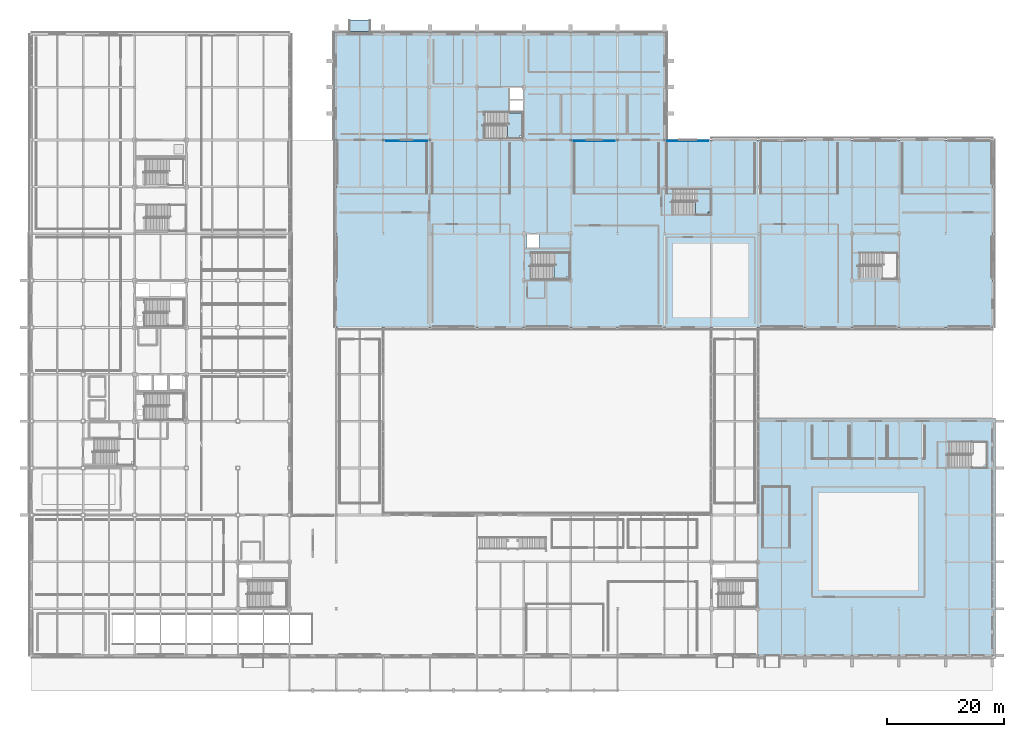
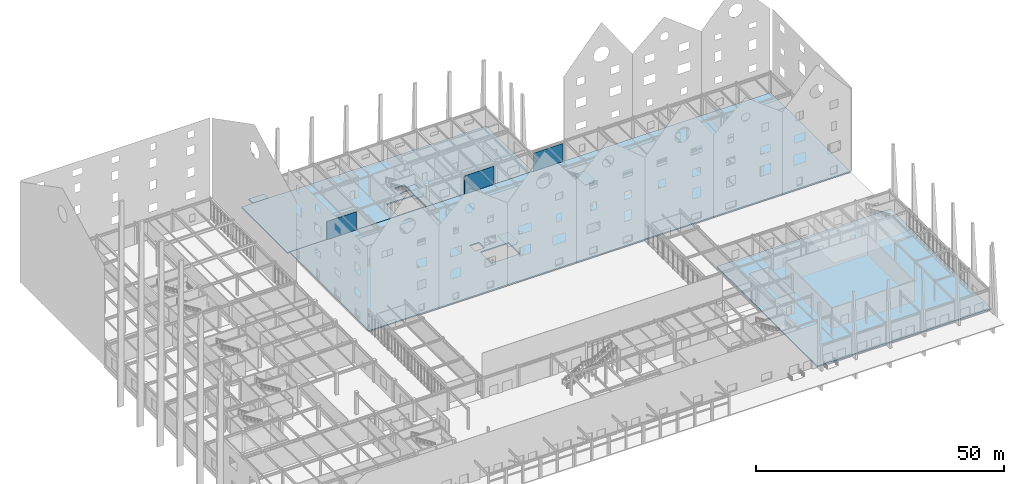
# One storey, part 65 of 119: 7 slabs, 3 plates, 3 elements without a shape of their own.
"""IFC4 building model written with IfcOpenShell, lengths in metres."""

from ifc_helpers import new_model, si_unit, direction, frame, origin, origin_2d, place, context, subcontext, project, spatial, polyline, rectangle, outline, extrude, material, layer, layer_set, type_object, element, aggregate, save


model = new_model("IFC4")

# Units and contexts
model_context = context("Model", 3, precision=1e-05, world=origin(), true_north=direction((0.0, 1.0)))
body_context = subcontext(model_context, "Body", "Model", "MODEL_VIEW")
ifc_project = project(units=[si_unit("LENGTHUNIT", "METRE"), si_unit("AREAUNIT", "SQUARE_METRE"), si_unit("VOLUMEUNIT", "CUBIC_METRE"), si_unit("PLANEANGLEUNIT", "RADIAN"), si_unit("MASSUNIT", "GRAM", prefix="KILO")], contexts=[model_context])

# Site, building, storey
site_placement = place(None, origin())
site = spatial("IfcSite", under=ifc_project, at=site_placement, CompositionType="ELEMENT")
building_placement = place(site_placement, origin())
building = spatial("IfcBuilding", under=site, at=building_placement, Name="Zhaolan Boulevard Law Courts", CompositionType="ELEMENT")
storey_placement = place(building_placement, origin())
storey = spatial("IfcBuildingStorey", under=building, at=storey_placement, Name="L00", CompositionType="ELEMENT", Elevation=0.0)

# Slabs
ifc_material_1 = material(Name="Concrete C40", Category="concrete")
ifc_layer_1 = layer(ifc_material_1, 0.300048828125)
ifc_layer_set_1 = layer_set([ifc_layer_1])
slab_type_1 = type_object("IfcSlabType", Name="FLOOR SLAB 300", PredefinedType="FLOOR", material=ifc_layer_set_1)
slab_1_placement = place(storey_placement, frame((0.0, 0.0, -0.300048828125)))
element("IfcSlab", 1, at=slab_1_placement, inside=storey, type_object=slab_type_1, Name="Slab SLB-L00-V1", PredefinedType="FLOOR", context=body_context, shape_type="SweptSolid", body=[
    extrude(outline(polyline([(124.0, 6.0), (164.52001953125, 6.0), (164.52001953125, 46.52001953125), (124.0, 46.52001953125), (124.0, 6.0)])), origin(), (0.0, 0.0, 1.0), 0.300048828125),
])
slab_2_placement = place(storey_placement, frame((0.0, 0.0, -0.300048828125)))
element("IfcSlab", 2, at=slab_2_placement, inside=storey, type_object=slab_type_1, Name="Slab SLB-L00-V2", PredefinedType="FLOOR", context=body_context, shape_type="SweptSolid", body=[
    extrude(outline(polyline([(52.0, 62.0), (164.0, 62.0), (164.0, 94.0), (52.0, 94.0), (52.0, 62.0)]), holes=[polyline([(84.5, 75.574951171875), (86.699951171875, 75.574951171875), (86.699951171875, 77.824951171875), (84.5, 77.824951171875), (84.5, 75.574951171875)]), polyline([(85.25, 70.25), (91.85009765625, 70.25), (91.85009765625, 74.75), (85.25, 74.75), (85.25, 70.25)])]), origin(), (0.0, 0.0, 1.0), 0.300048828125),
])
slab_3_placement = place(storey_placement, frame((0.0, 0.0, -0.300048828125)))
element("IfcSlab", 3, at=slab_3_placement, inside=storey, type_object=slab_type_1, Name="Slab SLB-L00-V6", PredefinedType="FLOOR", context=body_context, shape_type="SweptSolid", body=[
    extrude(outline(polyline([(51.47998046875, 94.0), (108.52001953125, 94.0), (108.52001953125, 112.52001953125), (51.47998046875, 112.52001953125), (51.47998046875, 94.0)]), holes=[polyline([(81.574951171875, 98.875), (83.824951171875, 98.875), (83.824951171875, 100.824951171875), (81.574951171875, 100.824951171875), (81.574951171875, 98.875)]), polyline([(81.574951171875, 100.875), (83.824951171875, 100.875), (83.824951171875, 102.824951171875), (81.574951171875, 102.824951171875), (81.574951171875, 100.875)]), polyline([(77.25, 94.25), (83.85009765625, 94.25), (83.85009765625, 98.75), (77.25, 98.75), (77.25, 94.25)])]), origin(), (0.0, 0.0, 1.0), 0.300048828125),
])
ifc_material_2 = material(Name="Concrete C40", Category="concrete")
ifc_layer_2 = layer(ifc_material_2, 0.239990234375)
ifc_layer_set_2 = layer_set([ifc_layer_2])
slab_type_2 = type_object("IfcSlabType", Name="RAMP SLAB 240", PredefinedType="USERDEFINED", material=ifc_layer_set_2)
slab_4_placement = place(storey_placement, frame((54.199951171875, 112.530029296875, -0.159912109375), z_axis=(1.0, 0.0, 0.0), x_axis=(0.0, 1.0, 0.0)))
element("IfcSlab", 4, at=slab_4_placement, inside=storey, type_object=slab_type_2, Name="Accessible Threshold Ramp AR-04", ObjectType="RAMP", PredefinedType="USERDEFINED", context=body_context, shape_type="SweptSolid", body=[
    extrude(outline(polyline([(0.0, 0.159912109375), (1.919921875, 0.0), (1.919921875, -0.24072265625), (0.0, -0.080810546875), (0.0, 0.159912109375)])), origin(), (0.0, 0.0, 1.0), 3.60009765625),
])

# Stair, slab
ifc_material_3 = material(Name="Concrete C40", Category="concrete")
stair_type_1 = type_object("IfcStairType", Name="HALF TURN STAIR 54 A", PredefinedType="HALF_TURN_STAIR", material=ifc_material_3)
stair_1_placement = place(storey_placement, origin())
stair_1 = element("IfcStair", 5, at=stair_1_placement, inside=storey, type_object=stair_type_1, Name="Stair ST08-L00", PredefinedType="HALF_TURN_STAIR")
ifc_material_4 = material(Name="Concrete C40", Category="concrete")
ifc_layer_3 = layer(ifc_material_4, 0.199951171875)
ifc_layer_set_3 = layer_set([ifc_layer_3])
slab_type_3 = type_object("IfcSlabType", Name="STAIR LANDING 200", PredefinedType="LANDING", material=ifc_layer_set_3)
slab_5_placement = place(storey_placement, frame((0.0, 0.0, 2.5)))
slab_5 = element("IfcSlab", 6, at=slab_5_placement, type_object=slab_type_3, Name="Stair Landing ST08-L00-L1", PredefinedType="LANDING", context=body_context, shape_type="SweptSolid", body=[
    extrude(outline(polyline([(89.18994140625, 70.169921875), (91.27001953125, 70.169921875), (91.27001953125, 70.72998046875), (91.830078125, 70.72998046875), (91.830078125, 74.639892578125), (89.18994140625, 74.639892578125), (89.18994140625, 70.169921875)])), origin(), (0.0, 0.0, 1.0), 0.199951171875),
])
aggregate(stair_1, [slab_5])

ifc_material_5 = material(Name="Concrete C40", Category="concrete")
stair_type_2 = type_object("IfcStairType", Name="HALF TURN STAIR 54 B", PredefinedType="HALF_TURN_STAIR", material=ifc_material_5)
stair_2_placement = place(storey_placement, origin())
stair_2 = element("IfcStair", 7, at=stair_2_placement, inside=storey, type_object=stair_type_2, Name="Stair ST11-L00", PredefinedType="HALF_TURN_STAIR")
slab_6_placement = place(storey_placement, frame((0.0, 0.0, 2.5)))
slab_6 = element("IfcSlab", 8, at=slab_6_placement, type_object=slab_type_3, Name="Stair Landing ST11-L00-L1", PredefinedType="LANDING", context=body_context, shape_type="SweptSolid", body=[
    extrude(outline(polyline([(81.18994140625, 94.169921875), (83.27001953125, 94.169921875), (83.27001953125, 94.72998046875), (83.830078125, 94.72998046875), (83.830078125, 98.639892578125), (81.18994140625, 98.639892578125), (81.18994140625, 94.169921875)])), origin(), (0.0, 0.0, 1.0), 0.199951171875),
])
aggregate(stair_2, [slab_6])

stair_3_placement = place(storey_placement, origin())
stair_3 = element("IfcStair", 9, at=stair_3_placement, inside=storey, type_object=stair_type_1, Name="Stair ST13-L00", PredefinedType="HALF_TURN_STAIR")
slab_7_placement = place(storey_placement, frame((0.0, 0.0, 2.5)))
slab_7 = element("IfcSlab", 10, at=slab_7_placement, type_object=slab_type_3, Name="Stair Landing ST13-L00-L1", PredefinedType="LANDING", context=body_context, shape_type="SweptSolid", body=[
    extrude(outline(polyline([(113.340087890625, 81.199951171875), (115.43994140625, 81.199951171875), (115.43994140625, 81.7099609375), (115.949951171875, 81.7099609375), (115.949951171875, 85.550048828125), (113.340087890625, 85.550048828125), (113.340087890625, 81.199951171875)])), origin(), (0.0, 0.0, 1.0), 0.199951171875),
])
aggregate(stair_3, [slab_7])

# Plates
ifc_material_6 = material(Name="Pale mist-grey standing-seam Al-Mg-Mn zinc-titanium")
ifc_layer_4 = layer(ifc_material_6, 0.0400390625)
ifc_layer_set_4 = layer_set([ifc_layer_4])
plate_type_1 = type_object("IfcPlateType", Name="STANDING SEAM PLATE 40", PredefinedType="SHEET", material=ifc_layer_set_4)
plate_1_placement = place(storey_placement, frame((64.0, 93.820068359375, 0.1005859375), z_axis=(0.0, 0.0, 1.0), x_axis=(-1.0, 0.0, 0.0)))
element("IfcPlate", 11, at=plate_1_placement, inside=storey, type_object=plate_type_1, Name="Standing-Seam Metal Wall Cladding SSP-L00-186", PredefinedType="SHEET", context=body_context, shape_type="SweptSolid", body=[
    extrude(rectangle(XDim=6.9599609375, YDim=0.0400390625, at=origin_2d()), origin(), (0.0, 0.0, 1.0), 4.462890625),
])
ifc_material_7 = material(Name="Pale mist-grey standing-seam Al-Mg-Mn zinc-titanium")
ifc_layer_5 = layer(ifc_material_7, 0.050048828125)
ifc_layer_set_5 = layer_set([ifc_layer_5])
plate_type_2 = type_object("IfcPlateType", Name="STANDING SEAM PLATE 50", PredefinedType="SHEET", material=ifc_layer_set_5)
plate_2_placement = place(storey_placement, frame((96.0, 93.81494140625, 0.1005859375), z_axis=(0.0, 0.0, 1.0), x_axis=(-1.0, 0.0, 0.0)))
element("IfcPlate", 12, at=plate_2_placement, inside=storey, type_object=plate_type_2, Name="Standing-Seam Metal Wall Cladding SSP-L00-188", PredefinedType="SHEET", context=body_context, shape_type="SweptSolid", body=[
    extrude(rectangle(XDim=6.9599609375, YDim=0.050048828125, at=origin_2d()), origin(), (0.0, 0.0, 1.0), 4.462890625),
])
ifc_material_8 = material(Name="Pale mist-grey standing-seam Al-Mg-Mn zinc-titanium")
ifc_layer_6 = layer(ifc_material_8, 0.06005859375)
ifc_layer_set_6 = layer_set([ifc_layer_6])
plate_type_3 = type_object("IfcPlateType", Name="STANDING SEAM PLATE 60", PredefinedType="SHEET", material=ifc_layer_set_6)
plate_3_placement = place(storey_placement, frame((112.0, 93.81005859375, 0.1005859375), z_axis=(0.0, 0.0, 1.0), x_axis=(-1.0, 0.0, 0.0)))
element("IfcPlate", 13, at=plate_3_placement, inside=storey, type_object=plate_type_3, Name="Standing-Seam Metal Wall Cladding SSP-L00-190", PredefinedType="SHEET", context=body_context, shape_type="SweptSolid", body=[
    extrude(rectangle(XDim=6.9599609375, YDim=0.06005859375, at=origin_2d()), origin(), (0.0, 0.0, 1.0), 4.462890625),
])

save(model, "model.ifc")
